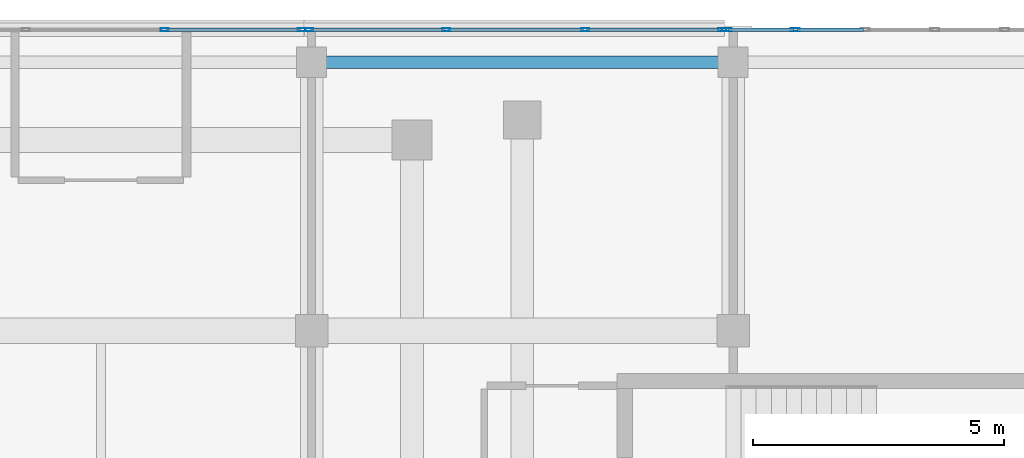
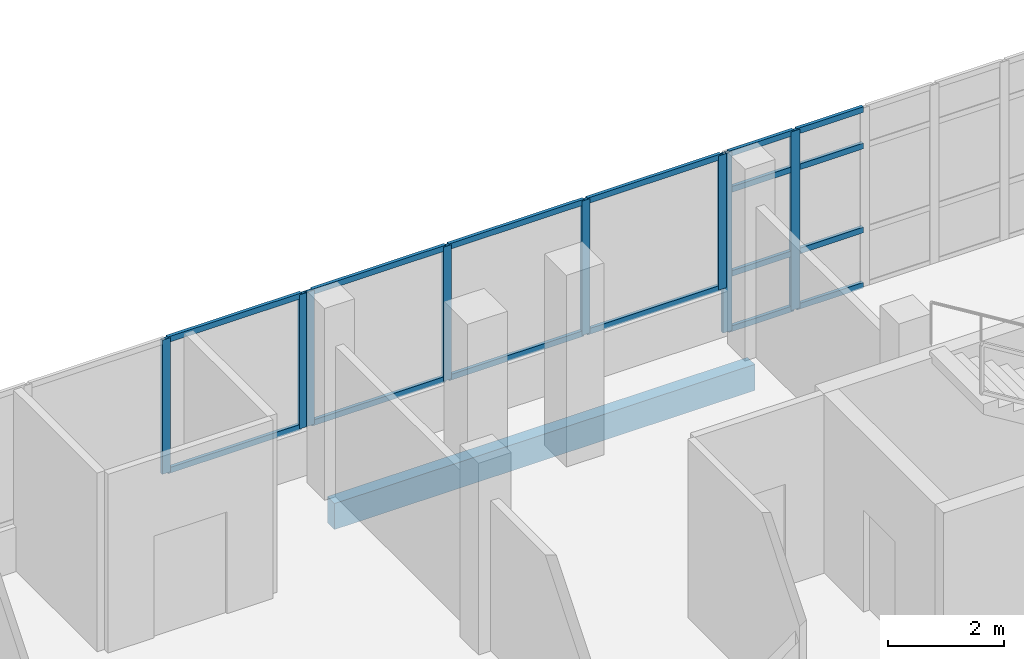
# One storey, part 31 of 78: 24 members, 1 beam, 3 elements without a shape of their own.
"""IFC4 building model written with IfcOpenShell, lengths in metres."""

from ifc_helpers import new_model, si_unit, direction, frame, origin, origin_2d, place, context, subcontext, project, spatial, rectangle, hollow_rectangle, extrude, material, material_profile, profile_set, type_object, element, aggregate, save


model = new_model("IFC4")

# Units and contexts
model_context = context("Model", 3, precision=1e-05, world=origin(), true_north=direction((0.0, 1.0)))
body_context = subcontext(model_context, "Body", "Model", "MODEL_VIEW")
ifc_project = project(units=[si_unit("LENGTHUNIT", "METRE"), si_unit("AREAUNIT", "SQUARE_METRE"), si_unit("VOLUMEUNIT", "CUBIC_METRE"), si_unit("PLANEANGLEUNIT", "RADIAN"), si_unit("MASSUNIT", "GRAM", prefix="KILO")], contexts=[model_context])

# Site, building, storey
site_placement = place(None, origin())
site = spatial("IfcSite", under=ifc_project, at=site_placement, CompositionType="ELEMENT")
building_placement = place(site_placement, origin())
building = spatial("IfcBuilding", under=site, at=building_placement, Name="Selatvlak General Hospital", CompositionType="ELEMENT")
storey_placement = place(building_placement, frame((0.0, 0.0, 23.25)))
storey = spatial("IfcBuildingStorey", under=building, at=storey_placement, Name="L05", CompositionType="ELEMENT", Elevation=23.25)

# Beam
ifc_material_1 = material(Name="Concrete C40/50", Category="concrete")
ifc_material_profile_1 = material_profile(ifc_material_1, rectangle(XDim=0.25, YDim=0.550048828125, at=origin_2d()), Name="RC-SP 250x550")
ifc_profile_set_1 = profile_set([ifc_material_profile_1], Name="Concrete C40/50")
beam_type = type_object("IfcBeamType", Name="BM-SP2", PredefinedType="SPANDREL", material=ifc_profile_set_1)
beam_placement = place(storey_placement, frame((81.60009765625, 119.35009765625, -0.554931640625), z_axis=(1.0, 0.0, 0.0), x_axis=(0.0, 1.0, 0.0)))
element("IfcBeam", 1, at=beam_placement, inside=storey, type_object=beam_type, Name="Beam BMR-L05-1979", PredefinedType="SPANDREL", context=body_context, shape_type="SweptSolid", body=[
    extrude(rectangle(XDim=0.25, YDim=0.550048828125, at=origin_2d()), origin(), (0.0, 0.0, 1.0), 8.39990234375),
])

# Curtain wall, members
ifc_material_2 = material(Name="Solar-control Low-E double glazing", Category="glass")
curtain_wall_type_1 = type_object("IfcCurtainWallType", Name="CW-CW-01", PredefinedType="USERDEFINED", material=ifc_material_2)
curtain_wall_1_placement = place(storey_placement, origin())
curtain_wall_1 = element("IfcCurtainWall", 2, at=curtain_wall_1_placement, inside=storey, type_object=curtain_wall_type_1, Name="Glazed facade curtain wall CW-L05-0553", ObjectType="UNITISED CURTAIN WALL", PredefinedType="USERDEFINED")
ifc_material_3 = material(Name="Dark anodised aluminium mullion", Category="aluminium")
ifc_material_profile_2 = material_profile(ifc_material_3, hollow_rectangle(XDim=0.06494140625, YDim=0.159912109375, WallThickness=0.00390625, at=origin_2d()), Name="AL-MUL 65x160x4")
ifc_profile_set_2 = profile_set([ifc_material_profile_2], Name="Dark anodised aluminium mullion")
member_type_1 = type_object("IfcMemberType", Name="CWM-01", PredefinedType="MULLION", material=ifc_profile_set_2)
member_1_placement = place(storey_placement, frame((78.670654296875, 119.9990234375, 0.93994140625), z_axis=(0.0, 0.0, 1.0), x_axis=(0.0, 1.0, 0.0)))
member_1 = element("IfcMember", 3, at=member_1_placement, type_object=member_type_1, Name="CW-01 mullion 3", PredefinedType="MULLION", context=body_context, shape_type="SweptSolid", body=[
    extrude(hollow_rectangle(XDim=0.06494140625, YDim=0.159912109375, WallThickness=0.00390625, at=origin_2d()), origin(), (0.0, 0.0, 1.0), 2.8349609375),
])
member_2_placement = place(storey_placement, frame((81.404541015625, 119.9990234375, 0.93994140625), z_axis=(0.0, 0.0, 1.0), x_axis=(0.0, 1.0, 0.0)))
member_2 = element("IfcMember", 4, at=member_2_placement, type_object=member_type_1, Name="CW-01 mullion 4", PredefinedType="MULLION", context=body_context, shape_type="SweptSolid", body=[
    extrude(hollow_rectangle(XDim=0.06494140625, YDim=0.159912109375, WallThickness=0.00390625, at=origin_2d()), origin(), (0.0, 0.0, 1.0), 2.8349609375),
])

curtain_wall_type_2 = type_object("IfcCurtainWallType", Name="CW-CW-02", PredefinedType="USERDEFINED", material=ifc_material_2)
curtain_wall_2_placement = place(storey_placement, origin())
curtain_wall_2 = element("IfcCurtainWall", 5, at=curtain_wall_2_placement, inside=storey, type_object=curtain_wall_type_2, Name="Glazed facade curtain wall CW-L05-0554", ObjectType="UNITISED CURTAIN WALL", PredefinedType="USERDEFINED")
member_3_placement = place(storey_placement, frame((81.549560546875, 119.9990234375, 0.93994140625), z_axis=(0.0, 0.0, 1.0), x_axis=(0.0, 1.0, 0.0)))
member_3 = element("IfcMember", 6, at=member_3_placement, type_object=member_type_1, Name="CW-02 mullion 1", PredefinedType="MULLION", context=body_context, shape_type="SweptSolid", body=[
    extrude(hollow_rectangle(XDim=0.06494140625, YDim=0.159912109375, WallThickness=0.00390625, at=origin_2d()), origin(), (0.0, 0.0, 1.0), 2.8349609375),
])
member_4_placement = place(storey_placement, frame((84.283447265625, 119.9990234375, 0.93994140625), z_axis=(0.0, 0.0, 1.0), x_axis=(0.0, 1.0, 0.0)))
member_4 = element("IfcMember", 7, at=member_4_placement, type_object=member_type_1, Name="CW-02 mullion 2", PredefinedType="MULLION", context=body_context, shape_type="SweptSolid", body=[
    extrude(hollow_rectangle(XDim=0.06494140625, YDim=0.159912109375, WallThickness=0.00390625, at=origin_2d()), origin(), (0.0, 0.0, 1.0), 2.8349609375),
])
member_5_placement = place(storey_placement, frame((87.049560546875, 119.9990234375, 0.93994140625), z_axis=(0.0, 0.0, 1.0), x_axis=(0.0, 1.0, 0.0)))
member_5 = element("IfcMember", 8, at=member_5_placement, type_object=member_type_1, Name="CW-02 mullion 3", PredefinedType="MULLION", context=body_context, shape_type="SweptSolid", body=[
    extrude(hollow_rectangle(XDim=0.06494140625, YDim=0.159912109375, WallThickness=0.00390625, at=origin_2d()), origin(), (0.0, 0.0, 1.0), 2.8349609375),
])
member_6_placement = place(storey_placement, frame((89.783447265625, 119.9990234375, 0.93994140625), z_axis=(0.0, 0.0, 1.0), x_axis=(0.0, 1.0, 0.0)))
member_6 = element("IfcMember", 9, at=member_6_placement, type_object=member_type_1, Name="CW-02 mullion 4", PredefinedType="MULLION", context=body_context, shape_type="SweptSolid", body=[
    extrude(hollow_rectangle(XDim=0.06494140625, YDim=0.159912109375, WallThickness=0.00390625, at=origin_2d()), origin(), (0.0, 0.0, 1.0), 2.8349609375),
])

curtain_wall_type_3 = type_object("IfcCurtainWallType", Name="CW-CW-04", PredefinedType="USERDEFINED", material=ifc_material_2)
curtain_wall_3_placement = place(storey_placement, origin())
curtain_wall_3 = element("IfcCurtainWall", 10, at=curtain_wall_3_placement, inside=storey, type_object=curtain_wall_type_3, Name="Glazed facade curtain wall CW-L05-0555", ObjectType="STICK GLAZING WALL", PredefinedType="USERDEFINED")
ifc_material_profile_3 = material_profile(ifc_material_3, hollow_rectangle(XDim=0.06494140625, YDim=0.179931640625, WallThickness=0.00439453125, at=origin_2d()), Name="AL-MUL 65x180x4.5")
ifc_profile_set_3 = profile_set([ifc_material_profile_3], Name="Dark anodised aluminium mullion")
member_type_2 = type_object("IfcMemberType", Name="CWM-02", PredefinedType="MULLION", material=ifc_profile_set_3)
member_7_placement = place(storey_placement, frame((89.87841796875, 119.9990234375, 0.0), z_axis=(0.0, 0.0, 1.0), x_axis=(0.0, 1.0, 0.0)))
member_7 = element("IfcMember", 11, at=member_7_placement, type_object=member_type_2, Name="CW-04 mullion 1", PredefinedType="MULLION", context=body_context, shape_type="SweptSolid", body=[
    extrude(hollow_rectangle(XDim=0.06494140625, YDim=0.179931640625, WallThickness=0.00439453125, at=origin_2d()), origin(), (0.0, 0.0, 1.0), 3.77490234375),
])
member_8_placement = place(storey_placement, frame((91.237548828125, 119.9990234375, 0.0), z_axis=(0.0, 0.0, 1.0), x_axis=(0.0, 1.0, 0.0)))
member_8 = element("IfcMember", 12, at=member_8_placement, type_object=member_type_2, Name="CW-04 mullion 2", PredefinedType="MULLION", context=body_context, shape_type="SweptSolid", body=[
    extrude(hollow_rectangle(XDim=0.06494140625, YDim=0.179931640625, WallThickness=0.00439453125, at=origin_2d()), origin(), (0.0, 0.0, 1.0), 3.77490234375),
])

# Member
ifc_material_profile_4 = material_profile(ifc_material_3, hollow_rectangle(XDim=0.06494140625, YDim=0.1201171875, WallThickness=0.00390625, at=origin_2d()), Name="AL-TRN 65x120x4")
ifc_profile_set_4 = profile_set([ifc_material_profile_4], Name="Dark anodised aluminium mullion")
member_type_3 = type_object("IfcMemberType", Name="CWT-01", PredefinedType="USERDEFINED", material=ifc_profile_set_4)
member_9_placement = place(storey_placement, frame((78.703125, 119.9990234375, 0.972412109375), z_axis=(1.0, 0.0, 0.0), x_axis=(0.0, 1.0, 0.0)))
member_9 = element("IfcMember", 13, at=member_9_placement, type_object=member_type_3, Name="CW-01 transom 3.1", ObjectType="TRANSOM", PredefinedType="USERDEFINED", context=body_context, shape_type="SweptSolid", body=[
    extrude(hollow_rectangle(XDim=0.06494140625, YDim=0.1201171875, WallThickness=0.00390625, at=origin_2d()), origin(), (0.0, 0.0, 1.0), 2.6689453125),
])

member_10_placement = place(storey_placement, frame((78.703125, 119.9990234375, 3.742431640625), z_axis=(1.0, 0.0, 0.0), x_axis=(0.0, 1.0, 0.0)))
member_10 = element("IfcMember", 14, at=member_10_placement, type_object=member_type_3, Name="CW-01 transom 3.2", ObjectType="TRANSOM", PredefinedType="USERDEFINED", context=body_context, shape_type="SweptSolid", body=[
    extrude(hollow_rectangle(XDim=0.06494140625, YDim=0.1201171875, WallThickness=0.00390625, at=origin_2d()), origin(), (0.0, 0.0, 1.0), 2.6689453125),
])

aggregate(curtain_wall_1, [member_1, member_2, member_9, member_10])

member_11_placement = place(storey_placement, frame((81.58203125, 119.9990234375, 0.972412109375), z_axis=(1.0, 0.0, 0.0), x_axis=(0.0, 1.0, 0.0)))
member_11 = element("IfcMember", 15, at=member_11_placement, type_object=member_type_3, Name="CW-02 transom 1.1", ObjectType="TRANSOM", PredefinedType="USERDEFINED", context=body_context, shape_type="SweptSolid", body=[
    extrude(hollow_rectangle(XDim=0.06494140625, YDim=0.1201171875, WallThickness=0.00390625, at=origin_2d()), origin(), (0.0, 0.0, 1.0), 2.668701171875),
])

member_12_placement = place(storey_placement, frame((81.58203125, 119.9990234375, 3.742431640625), z_axis=(1.0, 0.0, 0.0), x_axis=(0.0, 1.0, 0.0)))
member_12 = element("IfcMember", 16, at=member_12_placement, type_object=member_type_3, Name="CW-02 transom 1.2", ObjectType="TRANSOM", PredefinedType="USERDEFINED", context=body_context, shape_type="SweptSolid", body=[
    extrude(hollow_rectangle(XDim=0.06494140625, YDim=0.1201171875, WallThickness=0.00390625, at=origin_2d()), origin(), (0.0, 0.0, 1.0), 2.668701171875),
])

member_13_placement = place(storey_placement, frame((84.31591796875, 119.9990234375, 0.972412109375), z_axis=(1.0, 0.0, 0.0), x_axis=(0.0, 1.0, 0.0)))
member_13 = element("IfcMember", 17, at=member_13_placement, type_object=member_type_3, Name="CW-02 transom 2.1", ObjectType="TRANSOM", PredefinedType="USERDEFINED", context=body_context, shape_type="SweptSolid", body=[
    extrude(hollow_rectangle(XDim=0.06494140625, YDim=0.1201171875, WallThickness=0.00390625, at=origin_2d()), origin(), (0.0, 0.0, 1.0), 2.701171875),
])

member_14_placement = place(storey_placement, frame((84.31591796875, 119.9990234375, 3.742431640625), z_axis=(1.0, 0.0, 0.0), x_axis=(0.0, 1.0, 0.0)))
member_14 = element("IfcMember", 18, at=member_14_placement, type_object=member_type_3, Name="CW-02 transom 2.2", ObjectType="TRANSOM", PredefinedType="USERDEFINED", context=body_context, shape_type="SweptSolid", body=[
    extrude(hollow_rectangle(XDim=0.06494140625, YDim=0.1201171875, WallThickness=0.00390625, at=origin_2d()), origin(), (0.0, 0.0, 1.0), 2.701171875),
])

member_15_placement = place(storey_placement, frame((87.082275390625, 119.9990234375, 0.972412109375), z_axis=(1.0, 0.0, 0.0), x_axis=(0.0, 1.0, 0.0)))
member_15 = element("IfcMember", 19, at=member_15_placement, type_object=member_type_3, Name="CW-02 transom 3.1", ObjectType="TRANSOM", PredefinedType="USERDEFINED", context=body_context, shape_type="SweptSolid", body=[
    extrude(hollow_rectangle(XDim=0.06494140625, YDim=0.1201171875, WallThickness=0.00390625, at=origin_2d()), origin(), (0.0, 0.0, 1.0), 2.668701171875),
])

member_16_placement = place(storey_placement, frame((87.082275390625, 119.9990234375, 3.742431640625), z_axis=(1.0, 0.0, 0.0), x_axis=(0.0, 1.0, 0.0)))
member_16 = element("IfcMember", 20, at=member_16_placement, type_object=member_type_3, Name="CW-02 transom 3.2", ObjectType="TRANSOM", PredefinedType="USERDEFINED", context=body_context, shape_type="SweptSolid", body=[
    extrude(hollow_rectangle(XDim=0.06494140625, YDim=0.1201171875, WallThickness=0.00390625, at=origin_2d()), origin(), (0.0, 0.0, 1.0), 2.668701171875),
])

aggregate(curtain_wall_2, [member_3, member_4, member_5, member_6, member_11, member_12, member_13, member_14, member_15, member_16])

member_17_placement = place(storey_placement, frame((89.910888671875, 119.9990234375, 0.032470703125), z_axis=(1.0, 0.0, 0.0), x_axis=(0.0, 1.0, 0.0)))
member_17 = element("IfcMember", 21, at=member_17_placement, type_object=member_type_3, Name="CW-04 transom 1.1", ObjectType="TRANSOM", PredefinedType="USERDEFINED", context=body_context, shape_type="SweptSolid", body=[
    extrude(hollow_rectangle(XDim=0.06494140625, YDim=0.1201171875, WallThickness=0.00390625, at=origin_2d()), origin(), (0.0, 0.0, 1.0), 1.294189453125),
])

member_18_placement = place(storey_placement, frame((89.910888671875, 119.9990234375, 1.199951171875), z_axis=(1.0, 0.0, 0.0), x_axis=(0.0, 1.0, 0.0)))
member_18 = element("IfcMember", 22, at=member_18_placement, type_object=member_type_3, Name="CW-04 transom 1.2", ObjectType="TRANSOM", PredefinedType="USERDEFINED", context=body_context, shape_type="SweptSolid", body=[
    extrude(hollow_rectangle(XDim=0.06494140625, YDim=0.1201171875, WallThickness=0.00390625, at=origin_2d()), origin(), (0.0, 0.0, 1.0), 1.294189453125),
])

member_19_placement = place(storey_placement, frame((89.910888671875, 119.9990234375, 2.97509765625), z_axis=(1.0, 0.0, 0.0), x_axis=(0.0, 1.0, 0.0)))
member_19 = element("IfcMember", 23, at=member_19_placement, type_object=member_type_3, Name="CW-04 transom 1.3", ObjectType="TRANSOM", PredefinedType="USERDEFINED", context=body_context, shape_type="SweptSolid", body=[
    extrude(hollow_rectangle(XDim=0.06494140625, YDim=0.1201171875, WallThickness=0.00390625, at=origin_2d()), origin(), (0.0, 0.0, 1.0), 1.294189453125),
])

member_20_placement = place(storey_placement, frame((89.910888671875, 119.9990234375, 3.742431640625), z_axis=(1.0, 0.0, 0.0), x_axis=(0.0, 1.0, 0.0)))
member_20 = element("IfcMember", 24, at=member_20_placement, type_object=member_type_3, Name="CW-04 transom 1.4", ObjectType="TRANSOM", PredefinedType="USERDEFINED", context=body_context, shape_type="SweptSolid", body=[
    extrude(hollow_rectangle(XDim=0.06494140625, YDim=0.1201171875, WallThickness=0.00390625, at=origin_2d()), origin(), (0.0, 0.0, 1.0), 1.294189453125),
])

member_21_placement = place(storey_placement, frame((91.27001953125, 119.9990234375, 0.032470703125), z_axis=(1.0, 0.0, 0.0), x_axis=(0.0, 1.0, 0.0)))
member_21 = element("IfcMember", 25, at=member_21_placement, type_object=member_type_3, Name="CW-04 transom 2.1", ObjectType="TRANSOM", PredefinedType="USERDEFINED", context=body_context, shape_type="SweptSolid", body=[
    extrude(hollow_rectangle(XDim=0.06494140625, YDim=0.1201171875, WallThickness=0.00390625, at=origin_2d()), origin(), (0.0, 0.0, 1.0), 1.326416015625),
])

member_22_placement = place(storey_placement, frame((91.27001953125, 119.9990234375, 1.199951171875), z_axis=(1.0, 0.0, 0.0), x_axis=(0.0, 1.0, 0.0)))
member_22 = element("IfcMember", 26, at=member_22_placement, type_object=member_type_3, Name="CW-04 transom 2.2", ObjectType="TRANSOM", PredefinedType="USERDEFINED", context=body_context, shape_type="SweptSolid", body=[
    extrude(hollow_rectangle(XDim=0.06494140625, YDim=0.1201171875, WallThickness=0.00390625, at=origin_2d()), origin(), (0.0, 0.0, 1.0), 1.326416015625),
])

member_23_placement = place(storey_placement, frame((91.27001953125, 119.9990234375, 2.97509765625), z_axis=(1.0, 0.0, 0.0), x_axis=(0.0, 1.0, 0.0)))
member_23 = element("IfcMember", 27, at=member_23_placement, type_object=member_type_3, Name="CW-04 transom 2.3", ObjectType="TRANSOM", PredefinedType="USERDEFINED", context=body_context, shape_type="SweptSolid", body=[
    extrude(hollow_rectangle(XDim=0.06494140625, YDim=0.1201171875, WallThickness=0.00390625, at=origin_2d()), origin(), (0.0, 0.0, 1.0), 1.326416015625),
])

member_24_placement = place(storey_placement, frame((91.27001953125, 119.9990234375, 3.742431640625), z_axis=(1.0, 0.0, 0.0), x_axis=(0.0, 1.0, 0.0)))
member_24 = element("IfcMember", 28, at=member_24_placement, type_object=member_type_3, Name="CW-04 transom 2.4", ObjectType="TRANSOM", PredefinedType="USERDEFINED", context=body_context, shape_type="SweptSolid", body=[
    extrude(hollow_rectangle(XDim=0.06494140625, YDim=0.1201171875, WallThickness=0.00390625, at=origin_2d()), origin(), (0.0, 0.0, 1.0), 1.326416015625),
])

aggregate(curtain_wall_3, [member_7, member_8, member_17, member_18, member_19, member_20, member_21, member_22, member_23, member_24])

save(model, "model.ifc")
